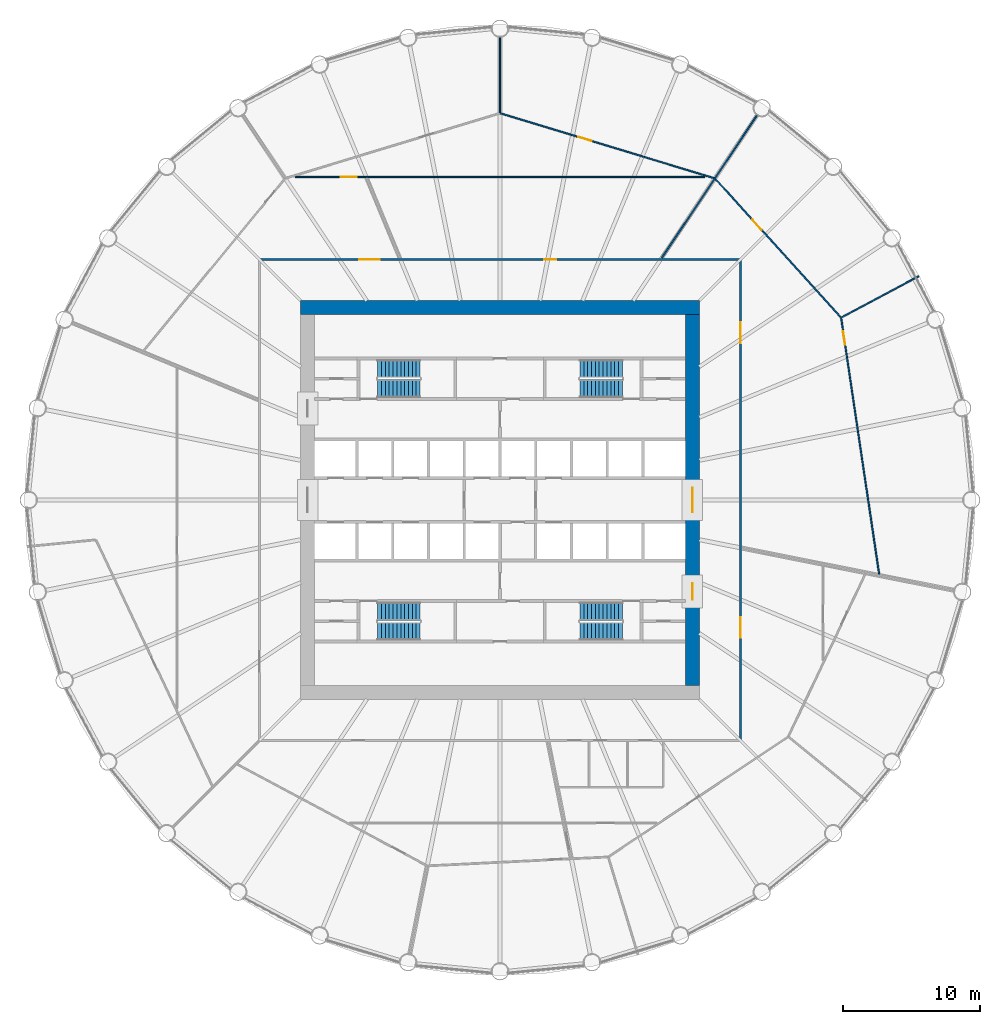
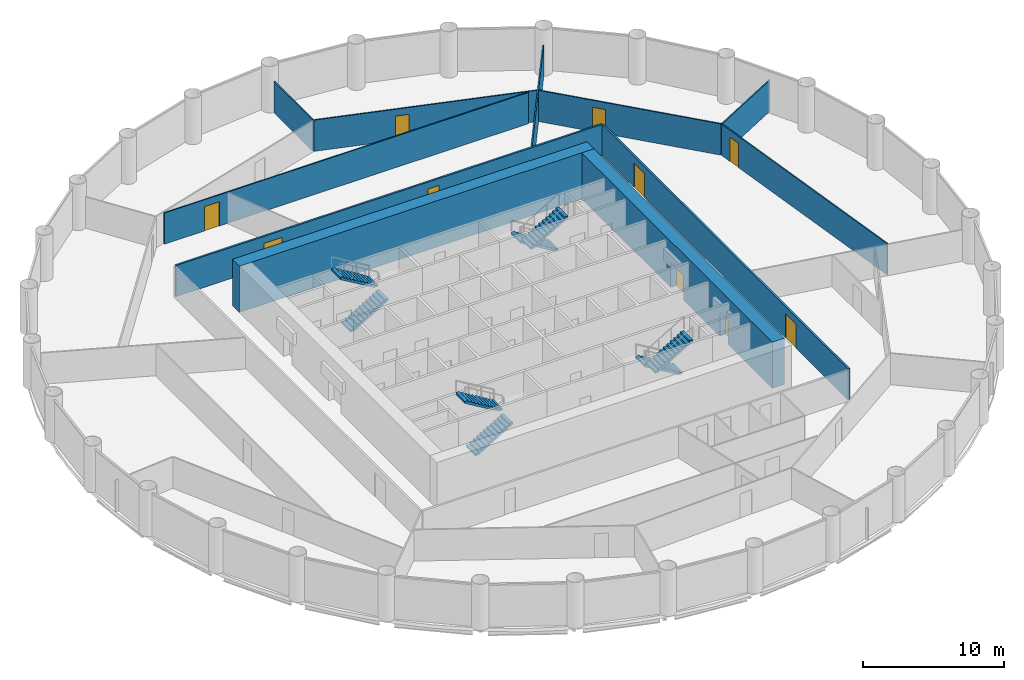
# One storey, part 7 of 8: 12 walls, 10 doors, 8 stair flights, 10 openings, 4 elements without a shape of their own.
"""IFC4 building model written with IfcOpenShell, lengths in metres."""

from ifc_helpers import new_model, si_unit, direction, frame, frame_2d, origin, place, context, subcontext, project, spatial, polyline, rectangle, outline, extrude, material, layer, layer_set, type_object, element, fill, aggregate, save


model = new_model("IFC4")

# Units and contexts
model_context = context("Model", 3, precision=1e-05, world=origin(), true_north=direction((0.0, 1.0)))
body_context = subcontext(model_context, "Body", "Model", "MODEL_VIEW")
ifc_project = project(units=[si_unit("LENGTHUNIT", "METRE"), si_unit("AREAUNIT", "SQUARE_METRE"), si_unit("VOLUMEUNIT", "CUBIC_METRE"), si_unit("PLANEANGLEUNIT", "RADIAN"), si_unit("MASSUNIT", "GRAM", prefix="KILO")], contexts=[model_context])

# Site, building, storey
site_placement = place(None, origin())
site = spatial("IfcSite", under=ifc_project, at=site_placement, CompositionType="ELEMENT")
building_placement = place(site_placement, origin())
building = spatial("IfcBuilding", under=site, at=building_placement, Name="Corvane Civic Tower", CompositionType="ELEMENT")
storey_placement = place(building_placement, frame((0.0, 0.0, 94.5)))
storey = spatial("IfcBuildingStorey", under=building, at=storey_placement, Name="L21", CompositionType="ELEMENT", Elevation=94.5)

# Wall
ifc_material_1 = material(Name="Concrete C70/85", Category="concrete")
ifc_layer_1 = layer(ifc_material_1, 1.0)
ifc_layer_set_1 = layer_set([ifc_layer_1], Name="Concrete C70/85")
wall_type_1 = type_object("IfcWallType", Name="CORE WALL 1000 C70/85", PredefinedType="SHEAR", material=ifc_layer_set_1)
wall_1_placement = place(storey_placement, frame((-14.5, 14.0, 0.0), z_axis=(0.0, 0.0, 1.0), x_axis=(1.0, 0.0, 0.0)))
element("IfcWall", 1, at=wall_1_placement, inside=storey, type_object=wall_type_1, Name="W-L21-core-N", PredefinedType="SHEAR", context=body_context, shape_type="SweptSolid", body=[
    extrude(rectangle(XDim=29.0, YDim=1.0, at=frame_2d((14.5, 0.0))), origin(), (0.0, 0.0, 1.0), 4.0),
])

# Wall, openings, doors
wall_2_placement = place(storey_placement, frame((14.0, -13.5, 0.0), z_axis=(0.0, 0.0, 1.0), x_axis=(0.0, 1.0, 0.0)))
wall_2 = element("IfcWall", 2, at=wall_2_placement, inside=storey, type_object=wall_type_1, Name="W-L21-core-E", PredefinedType="SHEAR", context=body_context, shape_type="SweptSolid", body=[
    extrude(rectangle(XDim=27.0, YDim=1.0, at=frame_2d((13.5, 0.0))), origin(), (0.0, 0.0, 1.0), 4.0),
])
opening_1_placement = place(wall_2_placement, frame((12.60009765625, 0.0, 0.0)))
opening_1 = element("IfcOpeningElement", 3, at=opening_1_placement, cuts=wall_2, Name="Opening L21.C23", PredefinedType="OPENING", context=body_context, shape_type="SweptSolid", body=[
    extrude(rectangle(XDim=1.800048828125, YDim=2.10009765625, at=frame_2d((0.89990234375, 1.050048828125))), frame((0.0, 0.510009765625, 0.0), z_axis=(0.0, -1.0, 0.0), x_axis=(1.0, 0.0, 0.0)), (0.0, 0.0, 1.0), 1.02001953125),
])
opening_2_placement = place(wall_2_placement, frame((6.25, 0.0, 0.0)))
opening_2 = element("IfcOpeningElement", 4, at=opening_2_placement, cuts=wall_2, Name="Opening L21.C25", PredefinedType="OPENING", context=body_context, shape_type="SweptSolid", body=[
    extrude(rectangle(XDim=1.199951171875, YDim=2.10009765625, at=frame_2d((0.60009765625, 1.050048828125))), frame((0.0, 0.510009765625, 0.0), z_axis=(0.0, -1.0, 0.0), x_axis=(1.0, 0.0, 0.0)), (0.0, 0.0, 1.0), 1.02001953125),
])
ifc_material_2 = material(Name="Steel fire door leaf", Category="steel")
door_type_1 = type_object("IfcDoorType", Name="CR-DOOR-CORE-1800", OperationType="DOUBLE_DOOR_SINGLE_SWING", PredefinedType="DOOR", material=ifc_material_2)
door_1_placement = place(opening_1_placement, origin())
door_1 = element("IfcDoor", 5, at=door_1_placement, inside=storey, type_object=door_type_1, Name="L21 door", OperationType="DOUBLE_DOOR_SINGLE_SWING", OverallHeight=2.10009765625, OverallWidth=1.800048828125, PredefinedType="DOOR", context=body_context, shape_type="SweptSolid", body=[
    extrude(rectangle(XDim=1.800048828125, YDim=2.10009765625, at=frame_2d((0.89990234375, 1.050048828125))), frame((0.0, 0.02490234375, 0.0), z_axis=(0.0, -1.0, 0.0), x_axis=(1.0, 0.0, 0.0)), (0.0, 0.0, 1.0), 0.050048828125),
])
fill(opening_1, door_1)
door_2_placement = place(opening_2_placement, origin())
door_2 = element("IfcDoor", 6, at=door_2_placement, inside=storey, type_object=door_type_1, Name="L21 door", OperationType="DOUBLE_DOOR_SINGLE_SWING", OverallHeight=2.10009765625, OverallWidth=1.199951171875, PredefinedType="DOOR", context=body_context, shape_type="SweptSolid", body=[
    extrude(rectangle(XDim=1.199951171875, YDim=2.10009765625, at=frame_2d((0.60009765625, 1.050048828125))), frame((0.0, 0.02490234375, 0.0), z_axis=(0.0, -1.0, 0.0), x_axis=(1.0, 0.0, 0.0)), (0.0, 0.0, 1.0), 0.050048828125),
])
fill(opening_2, door_2)

# Wall, opening, door
ifc_material_3 = material(Name="Plasterboard")
ifc_layer_2 = layer(ifc_material_3, 0.10009765625)
ifc_layer_set_2 = layer_set([ifc_layer_2], Name="Plasterboard")
wall_type_2 = type_object("IfcWallType", Name="Partition 100 plasterboard on studs", PredefinedType="PARTITIONING", material=ifc_layer_set_2)
wall_3_placement = place(storey_placement, frame((24.82470703125, 13.2314453125, 0.0), z_axis=(0.0, 0.0, 1.0), x_axis=(0.146725097185, -0.989177307593, 0.0)))
wall_3 = element("IfcWall", 7, at=wall_3_placement, inside=storey, type_object=wall_type_2, Name="Partition L21.023", PredefinedType="PARTITIONING", context=body_context, shape_type="SweptSolid", body=[
    extrude(rectangle(XDim=18.855712890625, YDim=0.10009765625, at=frame_2d((9.427734375, 0.0))), origin(), (0.0, 0.0, 1.0), 2.699951171875),
])
opening_3_placement = place(wall_3_placement, frame((0.959228515625, 0.0, 0.0)))
opening_3 = element("IfcOpeningElement", 8, at=opening_3_placement, cuts=wall_3, Name="Opening L21.011", PredefinedType="OPENING", context=body_context, shape_type="SweptSolid", body=[
    extrude(rectangle(XDim=1.0, YDim=2.10009765625, at=frame_2d((0.5, 1.050048828125))), frame((0.0, 0.06005859375, 0.0), z_axis=(0.0, -1.0, 0.0), x_axis=(1.0, 0.0, 0.0)), (0.0, 0.0, 1.0), 0.1201171875),
])
ifc_material_4 = material(Name="Timber", Category="wood")
door_type_2 = type_object("IfcDoorType", Name="Single door 1000", OperationType="NOTDEFINED", PredefinedType="DOOR", material=ifc_material_4)
door_3_placement = place(opening_3_placement, origin())
door_3 = element("IfcDoor", 9, at=door_3_placement, inside=storey, type_object=door_type_2, Name="Door L21.011", OperationType="SINGLE_SWING_LEFT", OverallHeight=2.10009765625, OverallWidth=1.0, PredefinedType="DOOR", context=body_context, shape_type="SweptSolid", body=[
    extrude(rectangle(XDim=1.0, YDim=2.10009765625, at=frame_2d((0.5, 1.050048828125))), frame((0.0, 0.02490234375, 0.0), z_axis=(0.0, -1.0, 0.0), x_axis=(1.0, 0.0, 0.0)), (0.0, 0.0, 1.0), 0.050048828125),
])
fill(opening_3, door_3)

# Wall
wall_4_placement = place(storey_placement, frame((24.853759765625, 13.28466796875, 0.0), z_axis=(0.0, 0.0, 1.0), x_axis=(0.881920677768, 0.471397834239, 0.0)))
element("IfcWall", 10, at=wall_4_placement, inside=storey, type_object=wall_type_2, Name="Partition L21.027", PredefinedType="PARTITIONING", context=body_context, shape_type="SweptSolid", body=[
    extrude(rectangle(XDim=6.36865234375, YDim=0.10009765625, at=frame_2d((3.184326171875, 0.0))), origin(), (0.0, 0.0, 1.0), 2.699951171875),
])

# Wall, opening, door
wall_5_placement = place(storey_placement, frame((15.67822265625, 23.352294921875, 0.0), z_axis=(0.0, 0.0, 1.0), x_axis=(0.671548435056, -0.740960659802, 0.0)))
wall_5 = element("IfcWall", 11, at=wall_5_placement, inside=storey, type_object=wall_type_2, Name="Partition L21.028", PredefinedType="PARTITIONING", context=body_context, shape_type="SweptSolid", body=[
    extrude(rectangle(XDim=13.572998046875, YDim=0.10009765625, at=frame_2d((6.78662109375, 0.0))), origin(), (0.0, 0.0, 1.0), 2.699951171875),
])
opening_4_placement = place(wall_5_placement, frame((3.99169921875, 0.0, 0.0)))
opening_4 = element("IfcOpeningElement", 12, at=opening_4_placement, cuts=wall_5, Name="Opening L21.010", PredefinedType="OPENING", context=body_context, shape_type="SweptSolid", body=[
    extrude(rectangle(XDim=1.0, YDim=2.10009765625, at=frame_2d((0.5, 1.050048828125))), frame((0.0, 0.06005859375, 0.0), z_axis=(0.0, -1.0, 0.0), x_axis=(1.0, 0.0, 0.0)), (0.0, 0.0, 1.0), 0.1201171875),
])
door_4_placement = place(opening_4_placement, origin())
door_4 = element("IfcDoor", 13, at=door_4_placement, inside=storey, type_object=door_type_2, Name="Door L21.010", OperationType="SINGLE_SWING_LEFT", OverallHeight=2.10009765625, OverallWidth=1.0, PredefinedType="DOOR", context=body_context, shape_type="SweptSolid", body=[
    extrude(rectangle(XDim=1.0, YDim=2.10009765625, at=frame_2d((0.5, 1.050048828125))), frame((0.0, 0.02490234375, 0.0), z_axis=(0.0, -1.0, 0.0), x_axis=(1.0, 0.0, 0.0)), (0.0, 0.0, 1.0), 0.050048828125),
])
fill(opening_4, door_4)

# Walls
wall_6_placement = place(storey_placement, frame((11.77734375, 17.626220703125, 0.0), z_axis=(0.0, 0.0, 1.0), x_axis=(0.555581169322, 0.831462304795, 0.0)))
element("IfcWall", 14, at=wall_6_placement, inside=storey, type_object=wall_type_2, Name="Partition L21.031", PredefinedType="PARTITIONING", context=body_context, shape_type="SweptSolid", body=[
    extrude(rectangle(XDim=12.46630859375, YDim=0.10009765625, at=frame_2d((6.233154296875, 0.0))), origin(), (0.0, 0.0, 1.0), 2.699951171875),
])
wall_7_placement = place(storey_placement, frame((14.921142578125, 23.6162109375, 0.0), z_axis=(0.0, 0.0, 1.0), x_axis=(0.956930559609, -0.290316902859, 0.0)))
element("IfcWall", 15, at=wall_7_placement, inside=storey, type_object=wall_type_2, Name="Partition L21.033", PredefinedType="PARTITIONING", context=body_context, shape_type="SweptSolid", body=[
    extrude(rectangle(XDim=0.6787109375, YDim=0.10009765625, at=frame_2d((0.33935546875, 0.0))), origin(), (0.0, 0.0, 1.0), 2.699951171875),
])

# Wall, opening, door
wall_8_placement = place(storey_placement, frame((-14.893798828125, 23.5, 0.0), z_axis=(0.0, 0.0, 1.0), x_axis=(1.0, 0.0, 0.0)))
wall_8 = element("IfcWall", 16, at=wall_8_placement, inside=storey, type_object=wall_type_2, Name="Partition L21.035", PredefinedType="PARTITIONING", context=body_context, shape_type="SweptSolid", body=[
    extrude(rectangle(XDim=29.78759765625, YDim=0.10009765625, at=frame_2d((14.893798828125, 0.0))), origin(), (0.0, 0.0, 1.0), 2.699951171875),
])
opening_5_placement = place(wall_8_placement, frame((3.289306640625, 0.0, 0.0)))
opening_5 = element("IfcOpeningElement", 17, at=opening_5_placement, cuts=wall_8, Name="Opening L21.007", PredefinedType="OPENING", context=body_context, shape_type="SweptSolid", body=[
    extrude(rectangle(XDim=1.199951171875, YDim=2.10009765625, at=frame_2d((0.60009765625, 1.050048828125))), frame((0.0, 0.06005859375, 0.0), z_axis=(0.0, -1.0, 0.0), x_axis=(1.0, 0.0, 0.0)), (0.0, 0.0, 1.0), 0.1201171875),
])
ifc_material_5 = material(Name="Timber", Category="wood")
door_type_3 = type_object("IfcDoorType", Name="Double door 1200", OperationType="NOTDEFINED", PredefinedType="DOOR", material=ifc_material_5)
door_5_placement = place(opening_5_placement, origin())
door_5 = element("IfcDoor", 18, at=door_5_placement, inside=storey, type_object=door_type_3, Name="Door L21.007", OperationType="DOUBLE_DOOR_SINGLE_SWING", OverallHeight=2.10009765625, OverallWidth=1.199951171875, PredefinedType="DOOR", context=body_context, shape_type="SweptSolid", body=[
    extrude(rectangle(XDim=1.199951171875, YDim=2.10009765625, at=frame_2d((0.60009765625, 1.050048828125))), frame((0.0, 0.02490234375, 0.0), z_axis=(0.0, -1.0, 0.0), x_axis=(1.0, 0.0, 0.0)), (0.0, 0.0, 1.0), 0.050048828125),
])
fill(opening_5, door_5)

wall_9_placement = place(storey_placement, frame((0.035400390625, 28.1318359375, 0.0), z_axis=(0.0, 0.0, 1.0), x_axis=(0.956938827211, -0.290289650136, 0.0)))
wall_9 = element("IfcWall", 19, at=wall_9_placement, inside=storey, type_object=wall_type_2, Name="Partition L21.037", PredefinedType="PARTITIONING", context=body_context, shape_type="SweptSolid", body=[
    extrude(rectangle(XDim=15.5556640625, YDim=0.10009765625, at=frame_2d((7.77783203125, 0.0))), origin(), (0.0, 0.0, 1.0), 2.699951171875),
])
opening_6_placement = place(wall_9_placement, frame((5.919189453125, 0.0, 0.0)))
opening_6 = element("IfcOpeningElement", 20, at=opening_6_placement, cuts=wall_9, Name="Opening L21.006", PredefinedType="OPENING", context=body_context, shape_type="SweptSolid", body=[
    extrude(rectangle(XDim=1.0, YDim=2.10009765625, at=frame_2d((0.5, 1.050048828125))), frame((0.0, 0.06005859375, 0.0), z_axis=(0.0, -1.0, 0.0), x_axis=(1.0, 0.0, 0.0)), (0.0, 0.0, 1.0), 0.1201171875),
])
door_6_placement = place(opening_6_placement, origin())
door_6 = element("IfcDoor", 21, at=door_6_placement, inside=storey, type_object=door_type_2, Name="Door L21.006", OperationType="SINGLE_SWING_RIGHT", OverallHeight=2.10009765625, OverallWidth=1.0, PredefinedType="DOOR", context=body_context, shape_type="SweptSolid", body=[
    extrude(rectangle(XDim=1.0, YDim=2.10009765625, at=frame_2d((0.5, 1.050048828125))), frame((0.0, 0.02490234375, 0.0), z_axis=(0.0, -1.0, 0.0), x_axis=(1.0, 0.0, 0.0)), (0.0, 0.0, 1.0), 0.050048828125),
])
fill(opening_6, door_6)

# Wall
wall_10_placement = place(storey_placement, frame((0.0, 28.1796875, 0.0), z_axis=(0.0, 0.0, 1.0), x_axis=(0.0, 1.0, 0.0)))
element("IfcWall", 22, at=wall_10_placement, inside=storey, type_object=wall_type_2, Name="Partition L21.038", PredefinedType="PARTITIONING", context=body_context, shape_type="SweptSolid", body=[
    extrude(rectangle(XDim=5.4853515625, YDim=0.10009765625, at=frame_2d((2.74267578125, 0.0))), origin(), (0.0, 0.0, 1.0), 2.699951171875),
])

# Wall, openings, doors
ifc_material_6 = material(Name="Plasterboard")
ifc_layer_3 = layer(ifc_material_6, 0.14990234375)
ifc_layer_set_3 = layer_set([ifc_layer_3], Name="Plasterboard")
wall_type_3 = type_object("IfcWallType", Name="Tenancy wall 150 EI 60", PredefinedType="PARTITIONING", material=ifc_layer_set_3)
wall_11_placement = place(storey_placement, frame((17.5, -17.425048828125, 0.0), z_axis=(0.0, 0.0, 1.0), x_axis=(0.0, 1.0, 0.0)))
wall_11 = element("IfcWall", 23, at=wall_11_placement, inside=storey, type_object=wall_type_3, Name="Partition L21.018", PredefinedType="PARTITIONING", context=body_context, shape_type="SweptSolid", body=[
    extrude(rectangle(XDim=34.85009765625, YDim=0.14990234375, at=frame_2d((17.425048828125, 0.0))), origin(), (0.0, 0.0, 1.0), 2.699951171875),
])
opening_7_placement = place(wall_11_placement, frame((28.841796875, 0.0, 0.0)))
opening_7 = element("IfcOpeningElement", 24, at=opening_7_placement, cuts=wall_11, Name="Opening L21.012", PredefinedType="OPENING", context=body_context, shape_type="SweptSolid", body=[
    extrude(rectangle(XDim=1.5, YDim=2.10009765625, at=frame_2d((0.75, 1.050048828125))), frame((0.0, 0.0849609375, 0.0), z_axis=(0.0, -1.0, 0.0), x_axis=(1.0, 0.0, 0.0)), (0.0, 0.0, 1.0), 0.169921875),
])
opening_8_placement = place(wall_11_placement, frame((7.394287109375, 0.0, 0.0)))
opening_8 = element("IfcOpeningElement", 25, at=opening_8_placement, cuts=wall_11, Name="Opening L21.020", PredefinedType="OPENING", context=body_context, shape_type="SweptSolid", body=[
    extrude(rectangle(XDim=1.5, YDim=2.10009765625, at=frame_2d((0.75, 1.050048828125))), frame((0.0, 0.0849609375, 0.0), z_axis=(0.0, -1.0, 0.0), x_axis=(1.0, 0.0, 0.0)), (0.0, 0.0, 1.0), 0.169921875),
])
ifc_material_7 = material(Name="Steel and timber", Category="steel")
door_type_4 = type_object("IfcDoorType", Name="Fire door FD60 double 1500", OperationType="NOTDEFINED", PredefinedType="DOOR", material=ifc_material_7)
door_7_placement = place(opening_7_placement, frame((1.5, 0.0, 0.0), z_axis=(0.0, 0.0, 1.0), x_axis=(-1.0, 0.0, 0.0)))
door_7 = element("IfcDoor", 26, at=door_7_placement, inside=storey, type_object=door_type_4, Name="Door L21.012", OperationType="DOUBLE_DOOR_SINGLE_SWING", OverallHeight=2.10009765625, OverallWidth=1.5, PredefinedType="DOOR", context=body_context, shape_type="SweptSolid", body=[
    extrude(rectangle(XDim=1.5, YDim=2.10009765625, at=frame_2d((0.75, 1.050048828125))), frame((0.0, 0.02490234375, 0.0), z_axis=(0.0, -1.0, 0.0), x_axis=(1.0, 0.0, 0.0)), (0.0, 0.0, 1.0), 0.050048828125),
])
fill(opening_7, door_7)
door_8_placement = place(opening_8_placement, frame((1.5, 0.0, 0.0), z_axis=(0.0, 0.0, 1.0), x_axis=(-1.0, 0.0, 0.0)))
door_8 = element("IfcDoor", 27, at=door_8_placement, inside=storey, type_object=door_type_4, Name="Door L21.020", OperationType="DOUBLE_DOOR_SINGLE_SWING", OverallHeight=2.10009765625, OverallWidth=1.5, PredefinedType="DOOR", context=body_context, shape_type="SweptSolid", body=[
    extrude(rectangle(XDim=1.5, YDim=2.10009765625, at=frame_2d((0.75, 1.050048828125))), frame((0.0, 0.02490234375, 0.0), z_axis=(0.0, -1.0, 0.0), x_axis=(1.0, 0.0, 0.0)), (0.0, 0.0, 1.0), 0.050048828125),
])
fill(opening_8, door_8)

wall_12_placement = place(storey_placement, frame((-17.425048828125, 17.5, 0.0), z_axis=(0.0, 0.0, 1.0), x_axis=(1.0, 0.0, 0.0)))
wall_12 = element("IfcWall", 28, at=wall_12_placement, inside=storey, type_object=wall_type_3, Name="Partition L21.029", PredefinedType="PARTITIONING", context=body_context, shape_type="SweptSolid", body=[
    extrude(rectangle(XDim=34.85009765625, YDim=0.14990234375, at=frame_2d((17.425048828125, 0.0))), origin(), (0.0, 0.0, 1.0), 2.699951171875),
])
opening_9_placement = place(wall_12_placement, frame((7.1865234375, 0.0, 0.0)))
opening_9 = element("IfcOpeningElement", 29, at=opening_9_placement, cuts=wall_12, Name="Opening L21.008", PredefinedType="OPENING", context=body_context, shape_type="SweptSolid", body=[
    extrude(rectangle(XDim=1.5, YDim=2.10009765625, at=frame_2d((0.75, 1.050048828125))), frame((0.0, 0.0849609375, 0.0), z_axis=(0.0, -1.0, 0.0), x_axis=(1.0, 0.0, 0.0)), (0.0, 0.0, 1.0), 0.169921875),
])
opening_10_placement = place(wall_12_placement, frame((20.6298828125, 0.0, 0.0)))
opening_10 = element("IfcOpeningElement", 30, at=opening_10_placement, cuts=wall_12, Name="Opening L21.009", PredefinedType="OPENING", context=body_context, shape_type="SweptSolid", body=[
    extrude(rectangle(XDim=0.89990234375, YDim=2.10009765625, at=frame_2d((0.449951171875, 1.050048828125))), frame((0.0, 0.0849609375, 0.0), z_axis=(0.0, -1.0, 0.0), x_axis=(1.0, 0.0, 0.0)), (0.0, 0.0, 1.0), 0.169921875),
])
ifc_material_8 = material(Name="Steel and timber", Category="steel")
door_type_5 = type_object("IfcDoorType", Name="Fire door FD30S 900", OperationType="NOTDEFINED", PredefinedType="DOOR", material=ifc_material_8)
door_9_placement = place(opening_10_placement, origin())
door_9 = element("IfcDoor", 31, at=door_9_placement, inside=storey, type_object=door_type_5, Name="Door L21.009", OperationType="SINGLE_SWING_RIGHT", OverallHeight=2.10009765625, OverallWidth=0.89990234375, PredefinedType="DOOR", context=body_context, shape_type="SweptSolid", body=[
    extrude(rectangle(XDim=0.89990234375, YDim=2.10009765625, at=frame_2d((0.449951171875, 1.050048828125))), frame((0.0, 0.02490234375, 0.0), z_axis=(0.0, -1.0, 0.0), x_axis=(1.0, 0.0, 0.0)), (0.0, 0.0, 1.0), 0.050048828125),
])
fill(opening_10, door_9)
door_10_placement = place(opening_9_placement, origin())
door_10 = element("IfcDoor", 32, at=door_10_placement, inside=storey, type_object=door_type_4, Name="Door L21.008", OperationType="DOUBLE_DOOR_SINGLE_SWING", OverallHeight=2.10009765625, OverallWidth=1.5, PredefinedType="DOOR", context=body_context, shape_type="SweptSolid", body=[
    extrude(rectangle(XDim=1.5, YDim=2.10009765625, at=frame_2d((0.75, 1.050048828125))), frame((0.0, 0.02490234375, 0.0), z_axis=(0.0, -1.0, 0.0), x_axis=(1.0, 0.0, 0.0)), (0.0, 0.0, 1.0), 0.050048828125),
])
fill(opening_9, door_10)

# Stair, stair flights
ifc_material_9 = material(Name="Concrete C40/50", Category="concrete")
stair_type = type_object("IfcStairType", Name="ST-STAIR-HALFTURN", PredefinedType="HALF_TURN_STAIR", material=ifc_material_9)
stair_1_placement = place(storey_placement, origin())
stair_1 = element("IfcStair", 33, at=stair_1_placement, inside=storey, type_object=stair_type, Name="L21 Exit stair ST1", PredefinedType="HALF_TURN_STAIR")
ifc_material_10 = material(Name="Concrete C40/50", Category="concrete")
stair_flight_type = type_object("IfcStairFlightType", Name="ST-FLIGHT-RC", PredefinedType="STRAIGHT", material=ifc_material_10)
stair_flight_1_placement = place(storey_placement, frame((8.89990234375, 9.550048828125, 0.0), z_axis=(0.0, 0.0, 1.0), x_axis=(-1.0, 0.0, 0.0)))
stair_flight_1 = element("IfcStairFlight", 34, at=stair_flight_1_placement, type_object=stair_flight_type, Name="ST1 flight 1", NumberOfRisers=12, NumberOfTreads=11, PredefinedType="STRAIGHT", RiserHeight=0.166666667, TreadLength=0.28, context=body_context, shape_type="SweptSolid", body=[
    extrude(outline(polyline([(0.0, 0.0), (0.0, 0.166748046875), (0.280029296875, 0.166748046875), (0.280029296875, 0.333251953125), (0.56005859375, 0.333251953125), (0.56005859375, 0.5), (0.840087890625, 0.5), (0.840087890625, 0.666748046875), (1.1201171875, 0.666748046875), (1.1201171875, 0.833251953125), (1.39990234375, 0.833251953125), (1.39990234375, 1.0), (1.679931640625, 1.0), (1.679931640625, 1.166748046875), (1.9599609375, 1.166748046875), (1.9599609375, 1.333251953125), (2.239990234375, 1.333251953125), (2.239990234375, 1.5), (2.52001953125, 1.5), (2.52001953125, 1.666748046875), (2.800048828125, 1.666748046875), (2.800048828125, 1.833251953125), (3.080078125, 1.833251953125), (3.080078125, 2.0), (3.080078125, 1.658935546875), (0.29296875, 0.0), (0.0, 0.0)])), frame((0.0, 0.64990234375, 0.0), z_axis=(0.0, -1.0, 0.0), x_axis=(1.0, 0.0, 0.0)), (0.0, 0.0, 1.0), 1.300048828125),
])
stair_flight_2_placement = place(storey_placement, frame((5.820068359375, 8.10009765625, 2.0), z_axis=(0.0, 0.0, 1.0), x_axis=(1.0, 0.0, 0.0)))
stair_flight_2 = element("IfcStairFlight", 35, at=stair_flight_2_placement, type_object=stair_flight_type, Name="ST1 flight 2", NumberOfRisers=12, NumberOfTreads=11, PredefinedType="STRAIGHT", RiserHeight=0.166666667, TreadLength=0.28, context=body_context, shape_type="SweptSolid", body=[
    extrude(outline(polyline([(0.0, 0.0), (0.0, 0.166748046875), (0.280029296875, 0.166748046875), (0.280029296875, 0.333251953125), (0.56005859375, 0.333251953125), (0.56005859375, 0.5), (0.840087890625, 0.5), (0.840087890625, 0.666748046875), (1.1201171875, 0.666748046875), (1.1201171875, 0.833251953125), (1.39990234375, 0.833251953125), (1.39990234375, 1.0), (1.679931640625, 1.0), (1.679931640625, 1.166748046875), (1.9599609375, 1.166748046875), (1.9599609375, 1.333251953125), (2.239990234375, 1.333251953125), (2.239990234375, 1.5), (2.52001953125, 1.5), (2.52001953125, 1.666748046875), (2.800048828125, 1.666748046875), (2.800048828125, 1.833251953125), (3.080078125, 1.833251953125), (3.080078125, 2.0), (3.080078125, 1.658935546875), (0.29296875, 0.0), (0.0, 0.0)])), frame((0.0, 0.64990234375, 0.0), z_axis=(0.0, -1.0, 0.0), x_axis=(1.0, 0.0, 0.0)), (0.0, 0.0, 1.0), 1.300048828125),
])
aggregate(stair_1, [stair_flight_1, stair_flight_2])

stair_2_placement = place(storey_placement, origin())
stair_2 = element("IfcStair", 36, at=stair_2_placement, inside=storey, type_object=stair_type, Name="L21 Exit stair ST2", PredefinedType="HALF_TURN_STAIR")
stair_flight_3_placement = place(storey_placement, frame((8.89990234375, -8.10009765625, 0.0), z_axis=(0.0, 0.0, 1.0), x_axis=(-1.0, 0.0, 0.0)))
stair_flight_3 = element("IfcStairFlight", 37, at=stair_flight_3_placement, type_object=stair_flight_type, Name="ST2 flight 1", NumberOfRisers=12, NumberOfTreads=11, PredefinedType="STRAIGHT", RiserHeight=0.166666667, TreadLength=0.28, context=body_context, shape_type="SweptSolid", body=[
    extrude(outline(polyline([(0.0, 0.0), (0.0, 0.166748046875), (0.280029296875, 0.166748046875), (0.280029296875, 0.333251953125), (0.56005859375, 0.333251953125), (0.56005859375, 0.5), (0.840087890625, 0.5), (0.840087890625, 0.666748046875), (1.1201171875, 0.666748046875), (1.1201171875, 0.833251953125), (1.39990234375, 0.833251953125), (1.39990234375, 1.0), (1.679931640625, 1.0), (1.679931640625, 1.166748046875), (1.9599609375, 1.166748046875), (1.9599609375, 1.333251953125), (2.239990234375, 1.333251953125), (2.239990234375, 1.5), (2.52001953125, 1.5), (2.52001953125, 1.666748046875), (2.800048828125, 1.666748046875), (2.800048828125, 1.833251953125), (3.080078125, 1.833251953125), (3.080078125, 2.0), (3.080078125, 1.658935546875), (0.29296875, 0.0), (0.0, 0.0)])), frame((0.0, 0.64990234375, 0.0), z_axis=(0.0, -1.0, 0.0), x_axis=(1.0, 0.0, 0.0)), (0.0, 0.0, 1.0), 1.300048828125),
])
stair_flight_4_placement = place(storey_placement, frame((5.820068359375, -9.550048828125, 2.0), z_axis=(0.0, 0.0, 1.0), x_axis=(1.0, 0.0, 0.0)))
stair_flight_4 = element("IfcStairFlight", 38, at=stair_flight_4_placement, type_object=stair_flight_type, Name="ST2 flight 2", NumberOfRisers=12, NumberOfTreads=11, PredefinedType="STRAIGHT", RiserHeight=0.166666667, TreadLength=0.28, context=body_context, shape_type="SweptSolid", body=[
    extrude(outline(polyline([(0.0, 0.0), (0.0, 0.166748046875), (0.280029296875, 0.166748046875), (0.280029296875, 0.333251953125), (0.56005859375, 0.333251953125), (0.56005859375, 0.5), (0.840087890625, 0.5), (0.840087890625, 0.666748046875), (1.1201171875, 0.666748046875), (1.1201171875, 0.833251953125), (1.39990234375, 0.833251953125), (1.39990234375, 1.0), (1.679931640625, 1.0), (1.679931640625, 1.166748046875), (1.9599609375, 1.166748046875), (1.9599609375, 1.333251953125), (2.239990234375, 1.333251953125), (2.239990234375, 1.5), (2.52001953125, 1.5), (2.52001953125, 1.666748046875), (2.800048828125, 1.666748046875), (2.800048828125, 1.833251953125), (3.080078125, 1.833251953125), (3.080078125, 2.0), (3.080078125, 1.658935546875), (0.29296875, 0.0), (0.0, 0.0)])), frame((0.0, 0.64990234375, 0.0), z_axis=(0.0, -1.0, 0.0), x_axis=(1.0, 0.0, 0.0)), (0.0, 0.0, 1.0), 1.300048828125),
])
aggregate(stair_2, [stair_flight_3, stair_flight_4])

stair_3_placement = place(storey_placement, origin())
stair_3 = element("IfcStair", 39, at=stair_3_placement, inside=storey, type_object=stair_type, Name="L21 Exit stair ST3", PredefinedType="HALF_TURN_STAIR")
stair_flight_5_placement = place(storey_placement, frame((-8.89990234375, -9.550048828125, 0.0), z_axis=(0.0, 0.0, 1.0), x_axis=(1.0, 0.0, 0.0)))
stair_flight_5 = element("IfcStairFlight", 40, at=stair_flight_5_placement, type_object=stair_flight_type, Name="ST3 flight 1", NumberOfRisers=12, NumberOfTreads=11, PredefinedType="STRAIGHT", RiserHeight=0.166666667, TreadLength=0.28, context=body_context, shape_type="SweptSolid", body=[
    extrude(outline(polyline([(0.0, 0.0), (0.0, 0.166748046875), (0.280029296875, 0.166748046875), (0.280029296875, 0.333251953125), (0.56005859375, 0.333251953125), (0.56005859375, 0.5), (0.840087890625, 0.5), (0.840087890625, 0.666748046875), (1.1201171875, 0.666748046875), (1.1201171875, 0.833251953125), (1.39990234375, 0.833251953125), (1.39990234375, 1.0), (1.679931640625, 1.0), (1.679931640625, 1.166748046875), (1.9599609375, 1.166748046875), (1.9599609375, 1.333251953125), (2.239990234375, 1.333251953125), (2.239990234375, 1.5), (2.52001953125, 1.5), (2.52001953125, 1.666748046875), (2.800048828125, 1.666748046875), (2.800048828125, 1.833251953125), (3.080078125, 1.833251953125), (3.080078125, 2.0), (3.080078125, 1.658935546875), (0.29296875, 0.0), (0.0, 0.0)])), frame((0.0, 0.64990234375, 0.0), z_axis=(0.0, -1.0, 0.0), x_axis=(1.0, 0.0, 0.0)), (0.0, 0.0, 1.0), 1.300048828125),
])
stair_flight_6_placement = place(storey_placement, frame((-5.820068359375, -8.10009765625, 2.0), z_axis=(0.0, 0.0, 1.0), x_axis=(-1.0, 0.0, 0.0)))
stair_flight_6 = element("IfcStairFlight", 41, at=stair_flight_6_placement, type_object=stair_flight_type, Name="ST3 flight 2", NumberOfRisers=12, NumberOfTreads=11, PredefinedType="STRAIGHT", RiserHeight=0.166666667, TreadLength=0.28, context=body_context, shape_type="SweptSolid", body=[
    extrude(outline(polyline([(0.0, 0.0), (0.0, 0.166748046875), (0.280029296875, 0.166748046875), (0.280029296875, 0.333251953125), (0.56005859375, 0.333251953125), (0.56005859375, 0.5), (0.840087890625, 0.5), (0.840087890625, 0.666748046875), (1.1201171875, 0.666748046875), (1.1201171875, 0.833251953125), (1.39990234375, 0.833251953125), (1.39990234375, 1.0), (1.679931640625, 1.0), (1.679931640625, 1.166748046875), (1.9599609375, 1.166748046875), (1.9599609375, 1.333251953125), (2.239990234375, 1.333251953125), (2.239990234375, 1.5), (2.52001953125, 1.5), (2.52001953125, 1.666748046875), (2.800048828125, 1.666748046875), (2.800048828125, 1.833251953125), (3.080078125, 1.833251953125), (3.080078125, 2.0), (3.080078125, 1.658935546875), (0.29296875, 0.0), (0.0, 0.0)])), frame((0.0, 0.64990234375, 0.0), z_axis=(0.0, -1.0, 0.0), x_axis=(1.0, 0.0, 0.0)), (0.0, 0.0, 1.0), 1.300048828125),
])
aggregate(stair_3, [stair_flight_5, stair_flight_6])

stair_4_placement = place(storey_placement, origin())
stair_4 = element("IfcStair", 42, at=stair_4_placement, inside=storey, type_object=stair_type, Name="L21 Exit stair ST4", PredefinedType="HALF_TURN_STAIR")
stair_flight_7_placement = place(storey_placement, frame((-8.89990234375, 8.10009765625, 0.0), z_axis=(0.0, 0.0, 1.0), x_axis=(1.0, 0.0, 0.0)))
stair_flight_7 = element("IfcStairFlight", 43, at=stair_flight_7_placement, type_object=stair_flight_type, Name="ST4 flight 1", NumberOfRisers=12, NumberOfTreads=11, PredefinedType="STRAIGHT", RiserHeight=0.166666667, TreadLength=0.28, context=body_context, shape_type="SweptSolid", body=[
    extrude(outline(polyline([(0.0, 0.0), (0.0, 0.166748046875), (0.280029296875, 0.166748046875), (0.280029296875, 0.333251953125), (0.56005859375, 0.333251953125), (0.56005859375, 0.5), (0.840087890625, 0.5), (0.840087890625, 0.666748046875), (1.1201171875, 0.666748046875), (1.1201171875, 0.833251953125), (1.39990234375, 0.833251953125), (1.39990234375, 1.0), (1.679931640625, 1.0), (1.679931640625, 1.166748046875), (1.9599609375, 1.166748046875), (1.9599609375, 1.333251953125), (2.239990234375, 1.333251953125), (2.239990234375, 1.5), (2.52001953125, 1.5), (2.52001953125, 1.666748046875), (2.800048828125, 1.666748046875), (2.800048828125, 1.833251953125), (3.080078125, 1.833251953125), (3.080078125, 2.0), (3.080078125, 1.658935546875), (0.29296875, 0.0), (0.0, 0.0)])), frame((0.0, 0.64990234375, 0.0), z_axis=(0.0, -1.0, 0.0), x_axis=(1.0, 0.0, 0.0)), (0.0, 0.0, 1.0), 1.300048828125),
])
stair_flight_8_placement = place(storey_placement, frame((-5.820068359375, 9.550048828125, 2.0), z_axis=(0.0, 0.0, 1.0), x_axis=(-1.0, 0.0, 0.0)))
stair_flight_8 = element("IfcStairFlight", 44, at=stair_flight_8_placement, type_object=stair_flight_type, Name="ST4 flight 2", NumberOfRisers=12, NumberOfTreads=11, PredefinedType="STRAIGHT", RiserHeight=0.166666667, TreadLength=0.28, context=body_context, shape_type="SweptSolid", body=[
    extrude(outline(polyline([(0.0, 0.0), (0.0, 0.166748046875), (0.280029296875, 0.166748046875), (0.280029296875, 0.333251953125), (0.56005859375, 0.333251953125), (0.56005859375, 0.5), (0.840087890625, 0.5), (0.840087890625, 0.666748046875), (1.1201171875, 0.666748046875), (1.1201171875, 0.833251953125), (1.39990234375, 0.833251953125), (1.39990234375, 1.0), (1.679931640625, 1.0), (1.679931640625, 1.166748046875), (1.9599609375, 1.166748046875), (1.9599609375, 1.333251953125), (2.239990234375, 1.333251953125), (2.239990234375, 1.5), (2.52001953125, 1.5), (2.52001953125, 1.666748046875), (2.800048828125, 1.666748046875), (2.800048828125, 1.833251953125), (3.080078125, 1.833251953125), (3.080078125, 2.0), (3.080078125, 1.658935546875), (0.29296875, 0.0), (0.0, 0.0)])), frame((0.0, 0.64990234375, 0.0), z_axis=(0.0, -1.0, 0.0), x_axis=(1.0, 0.0, 0.0)), (0.0, 0.0, 1.0), 1.300048828125),
])
aggregate(stair_4, [stair_flight_7, stair_flight_8])

save(model, "model.ifc")
